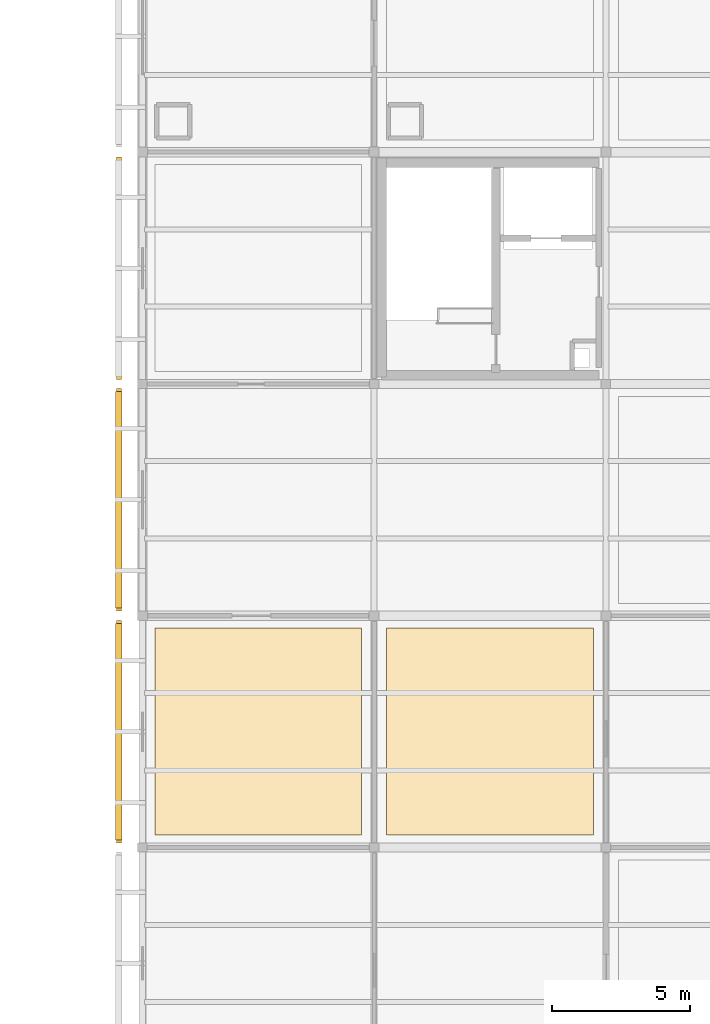
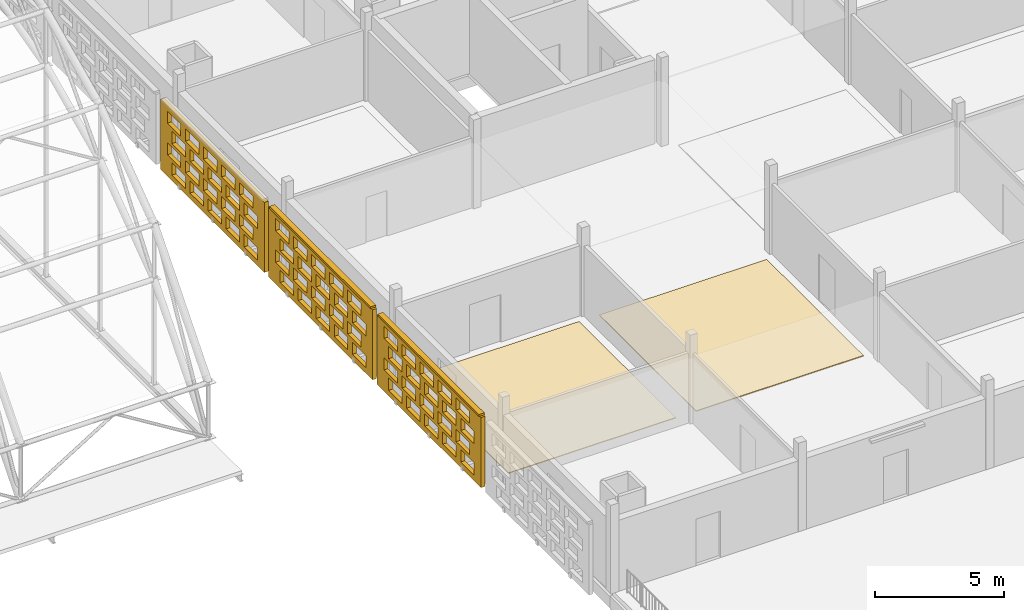
# One storey, part 98 of 103: 5 coverings, 2 shading devices, 60 openings.
"""IFC4 building model written with IfcOpenShell, lengths in metres."""

from ifc_helpers import new_model, si_unit, direction, frame, frame_2d, origin, origin_2d, place, context, subcontext, project, spatial, rectangle, extrude, material, layer, layer_set, type_object, element, save


model = new_model("IFC4")

# Units and contexts
model_context = context("Model", 3, precision=1e-05, world=origin(), true_north=direction((0.0, 1.0)))
body_context = subcontext(model_context, "Body", "Model", "MODEL_VIEW")
ifc_project = project(units=[si_unit("LENGTHUNIT", "METRE"), si_unit("AREAUNIT", "SQUARE_METRE"), si_unit("VOLUMEUNIT", "CUBIC_METRE"), si_unit("PLANEANGLEUNIT", "RADIAN"), si_unit("MASSUNIT", "GRAM", prefix="KILO")], contexts=[model_context])

# Site, building, storey
site_placement = place(None, origin())
site = spatial("IfcSite", under=ifc_project, at=site_placement, CompositionType="ELEMENT")
building_placement = place(site_placement, origin())
building = spatial("IfcBuilding", under=site, at=building_placement, Name="Varnapada Polytechnic", CompositionType="ELEMENT")
storey_placement = place(building_placement, frame((0.0, 0.0, 18.0)))
storey = spatial("IfcBuildingStorey", under=building, at=storey_placement, Name="L04", CompositionType="ELEMENT", Elevation=18.0)

# Coverings
ifc_material_1 = material(Name="Acoustic Rubber Seminar Flooring")
ifc_layer_1 = layer(ifc_material_1, 0.0400390625)
ifc_layer_set_1 = layer_set([ifc_layer_1], Name="Acoustic Rubber Seminar Flooring")
covering_type_1 = type_object("IfcCoveringType", Name="Floor Finish FLR-06", PredefinedType="FLOORING", material=ifc_layer_set_1)
for number, where, z_axis, x_axis, name in (
    (1, (147.0, 79.800048828125, 0.0), (0.0, 0.0, 1.0), (1.0, 0.0, 0.0), "L04 floor finish panel (18,10)"),
    (2, (155.39990234375, 79.800048828125, 0.0), (0.0, 0.0, 1.0), (1.0, 0.0, 0.0), "L04 floor finish panel (19,10)"),
):
    element("IfcCovering", number, at=place(storey_placement, frame(where, z_axis=z_axis, x_axis=x_axis)), inside=storey, type_object=covering_type_1, Name=name, PredefinedType="FLOORING", context=body_context, shape_type="SweptSolid", body=[
        extrude(rectangle(XDim=7.5, YDim=7.5, at=origin_2d()), origin(), (0.0, 0.0, 1.0), 0.0400390625),
    ])

# Covering, openings
ifc_material_2 = material(Name="Earth-toned architectural terracotta screen block", Category="masonry")
ifc_layer_2 = layer(ifc_material_2, 0.1201171875)
ifc_layer_set_2 = layer_set([ifc_layer_2], Name="Earth-toned architectural terracotta screen block")
covering_type_2 = type_object("IfcCoveringType", Name="Terracotta Screen Cladding CLD-01", PredefinedType="CLADDING", material=ifc_layer_set_2)
covering_1_placement = place(storey_placement, frame((141.949951171875, 75.77001953125, 0.0), z_axis=(0.0, 0.0, 1.0), x_axis=(0.0, 1.0, 0.0)))
covering_1 = element("IfcCovering", 3, at=covering_1_placement, inside=storey, type_object=covering_type_2, Name="L04 perforated terracotta block screen (43)", PredefinedType="CLADDING", context=body_context, shape_type="SweptSolid", body=[
    extrude(rectangle(XDim=8.050048828125, YDim=0.179931640625, at=frame_2d((4.02490234375, 0.0))), origin(), (0.0, 0.0, 1.0), 3.320068359375),
])
opening_1_placement = place(covering_1_placement, frame((0.52490234375, 0.0, 0.265625)))
element("IfcOpeningElement", 4, at=opening_1_placement, cuts=covering_1, Name="Screen perforation TBS-L04-042.1", PredefinedType="OPENING", context=body_context, shape_type="SweptSolid", body=[
    extrude(rectangle(XDim=1.0400390625, YDim=0.5810546875, at=frame_2d((0.52001953125, 0.29052734375))), frame((0.0, 0.099853515625, 0.0), z_axis=(0.0, -1.0, 0.0), x_axis=(1.0, 0.0, 0.0)), (0.0, 0.0, 1.0), 0.199951171875),
])
opening_2_placement = place(covering_1_placement, frame((1.925048828125, 0.0, 0.265625)))
element("IfcOpeningElement", 5, at=opening_2_placement, cuts=covering_1, Name="Screen perforation TBS-L04-042.2", PredefinedType="OPENING", context=body_context, shape_type="SweptSolid", body=[
    extrude(rectangle(XDim=1.0400390625, YDim=0.5810546875, at=frame_2d((0.52001953125, 0.29052734375))), frame((0.0, 0.099853515625, 0.0), z_axis=(0.0, -1.0, 0.0), x_axis=(1.0, 0.0, 0.0)), (0.0, 0.0, 1.0), 0.199951171875),
])
opening_3_placement = place(covering_1_placement, frame((3.324951171875, 0.0, 0.265625)))
element("IfcOpeningElement", 6, at=opening_3_placement, cuts=covering_1, Name="Screen perforation TBS-L04-042.3", PredefinedType="OPENING", context=body_context, shape_type="SweptSolid", body=[
    extrude(rectangle(XDim=1.0400390625, YDim=0.5810546875, at=frame_2d((0.52001953125, 0.29052734375))), frame((0.0, 0.099853515625, 0.0), z_axis=(0.0, -1.0, 0.0), x_axis=(1.0, 0.0, 0.0)), (0.0, 0.0, 1.0), 0.199951171875),
])
opening_4_placement = place(covering_1_placement, frame((4.72509765625, 0.0, 0.265625)))
element("IfcOpeningElement", 7, at=opening_4_placement, cuts=covering_1, Name="Screen perforation TBS-L04-042.4", PredefinedType="OPENING", context=body_context, shape_type="SweptSolid", body=[
    extrude(rectangle(XDim=1.0400390625, YDim=0.5810546875, at=frame_2d((0.52001953125, 0.29052734375))), frame((0.0, 0.099853515625, 0.0), z_axis=(0.0, -1.0, 0.0), x_axis=(1.0, 0.0, 0.0)), (0.0, 0.0, 1.0), 0.199951171875),
])
opening_5_placement = place(covering_1_placement, frame((6.125, 0.0, 0.265625)))
element("IfcOpeningElement", 8, at=opening_5_placement, cuts=covering_1, Name="Screen perforation TBS-L04-042.5", PredefinedType="OPENING", context=body_context, shape_type="SweptSolid", body=[
    extrude(rectangle(XDim=1.0400390625, YDim=0.5810546875, at=frame_2d((0.52001953125, 0.29052734375))), frame((0.0, 0.099853515625, 0.0), z_axis=(0.0, -1.0, 0.0), x_axis=(1.0, 0.0, 0.0)), (0.0, 0.0, 1.0), 0.199951171875),
])
opening_6_placement = place(covering_1_placement, frame((0.885009765625, 0.0, 1.0126953125)))
element("IfcOpeningElement", 9, at=opening_6_placement, cuts=covering_1, Name="Screen perforation TBS-L04-042.6", PredefinedType="OPENING", context=body_context, shape_type="SweptSolid", body=[
    extrude(rectangle(XDim=1.0400390625, YDim=0.5810546875, at=frame_2d((0.52001953125, 0.29052734375))), frame((0.0, 0.099853515625, 0.0), z_axis=(0.0, -1.0, 0.0), x_axis=(1.0, 0.0, 0.0)), (0.0, 0.0, 1.0), 0.199951171875),
])
opening_7_placement = place(covering_1_placement, frame((2.284912109375, 0.0, 1.0126953125)))
element("IfcOpeningElement", 10, at=opening_7_placement, cuts=covering_1, Name="Screen perforation TBS-L04-042.7", PredefinedType="OPENING", context=body_context, shape_type="SweptSolid", body=[
    extrude(rectangle(XDim=1.0400390625, YDim=0.5810546875, at=frame_2d((0.52001953125, 0.29052734375))), frame((0.0, 0.099853515625, 0.0), z_axis=(0.0, -1.0, 0.0), x_axis=(1.0, 0.0, 0.0)), (0.0, 0.0, 1.0), 0.199951171875),
])
opening_8_placement = place(covering_1_placement, frame((3.68505859375, 0.0, 1.0126953125)))
element("IfcOpeningElement", 11, at=opening_8_placement, cuts=covering_1, Name="Screen perforation TBS-L04-042.8", PredefinedType="OPENING", context=body_context, shape_type="SweptSolid", body=[
    extrude(rectangle(XDim=1.0400390625, YDim=0.5810546875, at=frame_2d((0.52001953125, 0.29052734375))), frame((0.0, 0.099853515625, 0.0), z_axis=(0.0, -1.0, 0.0), x_axis=(1.0, 0.0, 0.0)), (0.0, 0.0, 1.0), 0.199951171875),
])
opening_9_placement = place(covering_1_placement, frame((5.0849609375, 0.0, 1.0126953125)))
element("IfcOpeningElement", 12, at=opening_9_placement, cuts=covering_1, Name="Screen perforation TBS-L04-042.9", PredefinedType="OPENING", context=body_context, shape_type="SweptSolid", body=[
    extrude(rectangle(XDim=1.0400390625, YDim=0.5810546875, at=frame_2d((0.52001953125, 0.29052734375))), frame((0.0, 0.099853515625, 0.0), z_axis=(0.0, -1.0, 0.0), x_axis=(1.0, 0.0, 0.0)), (0.0, 0.0, 1.0), 0.199951171875),
])
opening_10_placement = place(covering_1_placement, frame((6.485107421875, 0.0, 1.0126953125)))
element("IfcOpeningElement", 13, at=opening_10_placement, cuts=covering_1, Name="Screen perforation TBS-L04-042.10", PredefinedType="OPENING", context=body_context, shape_type="SweptSolid", body=[
    extrude(rectangle(XDim=1.0400390625, YDim=0.5810546875, at=frame_2d((0.52001953125, 0.29052734375))), frame((0.0, 0.099853515625, 0.0), z_axis=(0.0, -1.0, 0.0), x_axis=(1.0, 0.0, 0.0)), (0.0, 0.0, 1.0), 0.199951171875),
])
opening_11_placement = place(covering_1_placement, frame((0.52490234375, 0.0, 1.759521484375)))
element("IfcOpeningElement", 14, at=opening_11_placement, cuts=covering_1, Name="Screen perforation TBS-L04-042.11", PredefinedType="OPENING", context=body_context, shape_type="SweptSolid", body=[
    extrude(rectangle(XDim=1.0400390625, YDim=0.5810546875, at=frame_2d((0.52001953125, 0.29052734375))), frame((0.0, 0.099853515625, 0.0), z_axis=(0.0, -1.0, 0.0), x_axis=(1.0, 0.0, 0.0)), (0.0, 0.0, 1.0), 0.199951171875),
])
opening_12_placement = place(covering_1_placement, frame((1.925048828125, 0.0, 1.759521484375)))
element("IfcOpeningElement", 15, at=opening_12_placement, cuts=covering_1, Name="Screen perforation TBS-L04-042.12", PredefinedType="OPENING", context=body_context, shape_type="SweptSolid", body=[
    extrude(rectangle(XDim=1.0400390625, YDim=0.5810546875, at=frame_2d((0.52001953125, 0.29052734375))), frame((0.0, 0.099853515625, 0.0), z_axis=(0.0, -1.0, 0.0), x_axis=(1.0, 0.0, 0.0)), (0.0, 0.0, 1.0), 0.199951171875),
])
opening_13_placement = place(covering_1_placement, frame((3.324951171875, 0.0, 1.759521484375)))
element("IfcOpeningElement", 16, at=opening_13_placement, cuts=covering_1, Name="Screen perforation TBS-L04-042.13", PredefinedType="OPENING", context=body_context, shape_type="SweptSolid", body=[
    extrude(rectangle(XDim=1.0400390625, YDim=0.5810546875, at=frame_2d((0.52001953125, 0.29052734375))), frame((0.0, 0.099853515625, 0.0), z_axis=(0.0, -1.0, 0.0), x_axis=(1.0, 0.0, 0.0)), (0.0, 0.0, 1.0), 0.199951171875),
])
opening_14_placement = place(covering_1_placement, frame((4.72509765625, 0.0, 1.759521484375)))
element("IfcOpeningElement", 17, at=opening_14_placement, cuts=covering_1, Name="Screen perforation TBS-L04-042.14", PredefinedType="OPENING", context=body_context, shape_type="SweptSolid", body=[
    extrude(rectangle(XDim=1.0400390625, YDim=0.5810546875, at=frame_2d((0.52001953125, 0.29052734375))), frame((0.0, 0.099853515625, 0.0), z_axis=(0.0, -1.0, 0.0), x_axis=(1.0, 0.0, 0.0)), (0.0, 0.0, 1.0), 0.199951171875),
])
opening_15_placement = place(covering_1_placement, frame((6.125, 0.0, 1.759521484375)))
element("IfcOpeningElement", 18, at=opening_15_placement, cuts=covering_1, Name="Screen perforation TBS-L04-042.15", PredefinedType="OPENING", context=body_context, shape_type="SweptSolid", body=[
    extrude(rectangle(XDim=1.0400390625, YDim=0.5810546875, at=frame_2d((0.52001953125, 0.29052734375))), frame((0.0, 0.099853515625, 0.0), z_axis=(0.0, -1.0, 0.0), x_axis=(1.0, 0.0, 0.0)), (0.0, 0.0, 1.0), 0.199951171875),
])
opening_16_placement = place(covering_1_placement, frame((0.885009765625, 0.0, 2.506591796875)))
element("IfcOpeningElement", 19, at=opening_16_placement, cuts=covering_1, Name="Screen perforation TBS-L04-042.16", PredefinedType="OPENING", context=body_context, shape_type="SweptSolid", body=[
    extrude(rectangle(XDim=1.0400390625, YDim=0.5810546875, at=frame_2d((0.52001953125, 0.29052734375))), frame((0.0, 0.099853515625, 0.0), z_axis=(0.0, -1.0, 0.0), x_axis=(1.0, 0.0, 0.0)), (0.0, 0.0, 1.0), 0.199951171875),
])
opening_17_placement = place(covering_1_placement, frame((2.284912109375, 0.0, 2.506591796875)))
element("IfcOpeningElement", 20, at=opening_17_placement, cuts=covering_1, Name="Screen perforation TBS-L04-042.17", PredefinedType="OPENING", context=body_context, shape_type="SweptSolid", body=[
    extrude(rectangle(XDim=1.0400390625, YDim=0.5810546875, at=frame_2d((0.52001953125, 0.29052734375))), frame((0.0, 0.099853515625, 0.0), z_axis=(0.0, -1.0, 0.0), x_axis=(1.0, 0.0, 0.0)), (0.0, 0.0, 1.0), 0.199951171875),
])
opening_18_placement = place(covering_1_placement, frame((3.68505859375, 0.0, 2.506591796875)))
element("IfcOpeningElement", 21, at=opening_18_placement, cuts=covering_1, Name="Screen perforation TBS-L04-042.18", PredefinedType="OPENING", context=body_context, shape_type="SweptSolid", body=[
    extrude(rectangle(XDim=1.0400390625, YDim=0.5810546875, at=frame_2d((0.52001953125, 0.29052734375))), frame((0.0, 0.099853515625, 0.0), z_axis=(0.0, -1.0, 0.0), x_axis=(1.0, 0.0, 0.0)), (0.0, 0.0, 1.0), 0.199951171875),
])
opening_19_placement = place(covering_1_placement, frame((5.0849609375, 0.0, 2.506591796875)))
element("IfcOpeningElement", 22, at=opening_19_placement, cuts=covering_1, Name="Screen perforation TBS-L04-042.19", PredefinedType="OPENING", context=body_context, shape_type="SweptSolid", body=[
    extrude(rectangle(XDim=1.0400390625, YDim=0.5810546875, at=frame_2d((0.52001953125, 0.29052734375))), frame((0.0, 0.099853515625, 0.0), z_axis=(0.0, -1.0, 0.0), x_axis=(1.0, 0.0, 0.0)), (0.0, 0.0, 1.0), 0.199951171875),
])
opening_20_placement = place(covering_1_placement, frame((6.485107421875, 0.0, 2.506591796875)))
element("IfcOpeningElement", 23, at=opening_20_placement, cuts=covering_1, Name="Screen perforation TBS-L04-042.20", PredefinedType="OPENING", context=body_context, shape_type="SweptSolid", body=[
    extrude(rectangle(XDim=1.0400390625, YDim=0.5810546875, at=frame_2d((0.52001953125, 0.29052734375))), frame((0.0, 0.099853515625, 0.0), z_axis=(0.0, -1.0, 0.0), x_axis=(1.0, 0.0, 0.0)), (0.0, 0.0, 1.0), 0.199951171875),
])

covering_2_placement = place(storey_placement, frame((141.949951171875, 84.179931640625, 0.0), z_axis=(0.0, 0.0, 1.0), x_axis=(0.0, 1.0, 0.0)))
covering_2 = element("IfcCovering", 24, at=covering_2_placement, inside=storey, type_object=covering_type_2, Name="L04 perforated terracotta block screen (44)", PredefinedType="CLADDING", context=body_context, shape_type="SweptSolid", body=[
    extrude(rectangle(XDim=8.050048828125, YDim=0.179931640625, at=frame_2d((4.02490234375, 0.0))), origin(), (0.0, 0.0, 1.0), 3.320068359375),
])
opening_21_placement = place(covering_2_placement, frame((0.52490234375, 0.0, 0.265625)))
element("IfcOpeningElement", 25, at=opening_21_placement, cuts=covering_2, Name="Screen perforation TBS-L04-043.1", PredefinedType="OPENING", context=body_context, shape_type="SweptSolid", body=[
    extrude(rectangle(XDim=1.0400390625, YDim=0.5810546875, at=frame_2d((0.52001953125, 0.29052734375))), frame((0.0, 0.099853515625, 0.0), z_axis=(0.0, -1.0, 0.0), x_axis=(1.0, 0.0, 0.0)), (0.0, 0.0, 1.0), 0.199951171875),
])
opening_22_placement = place(covering_2_placement, frame((1.925048828125, 0.0, 0.265625)))
element("IfcOpeningElement", 26, at=opening_22_placement, cuts=covering_2, Name="Screen perforation TBS-L04-043.2", PredefinedType="OPENING", context=body_context, shape_type="SweptSolid", body=[
    extrude(rectangle(XDim=1.0400390625, YDim=0.5810546875, at=frame_2d((0.52001953125, 0.29052734375))), frame((0.0, 0.099853515625, 0.0), z_axis=(0.0, -1.0, 0.0), x_axis=(1.0, 0.0, 0.0)), (0.0, 0.0, 1.0), 0.199951171875),
])
opening_23_placement = place(covering_2_placement, frame((3.324951171875, 0.0, 0.265625)))
element("IfcOpeningElement", 27, at=opening_23_placement, cuts=covering_2, Name="Screen perforation TBS-L04-043.3", PredefinedType="OPENING", context=body_context, shape_type="SweptSolid", body=[
    extrude(rectangle(XDim=1.0400390625, YDim=0.5810546875, at=frame_2d((0.52001953125, 0.29052734375))), frame((0.0, 0.099853515625, 0.0), z_axis=(0.0, -1.0, 0.0), x_axis=(1.0, 0.0, 0.0)), (0.0, 0.0, 1.0), 0.199951171875),
])
opening_24_placement = place(covering_2_placement, frame((4.72509765625, 0.0, 0.265625)))
element("IfcOpeningElement", 28, at=opening_24_placement, cuts=covering_2, Name="Screen perforation TBS-L04-043.4", PredefinedType="OPENING", context=body_context, shape_type="SweptSolid", body=[
    extrude(rectangle(XDim=1.0400390625, YDim=0.5810546875, at=frame_2d((0.52001953125, 0.29052734375))), frame((0.0, 0.099853515625, 0.0), z_axis=(0.0, -1.0, 0.0), x_axis=(1.0, 0.0, 0.0)), (0.0, 0.0, 1.0), 0.199951171875),
])
opening_25_placement = place(covering_2_placement, frame((6.125, 0.0, 0.265625)))
element("IfcOpeningElement", 29, at=opening_25_placement, cuts=covering_2, Name="Screen perforation TBS-L04-043.5", PredefinedType="OPENING", context=body_context, shape_type="SweptSolid", body=[
    extrude(rectangle(XDim=1.0400390625, YDim=0.5810546875, at=frame_2d((0.52001953125, 0.29052734375))), frame((0.0, 0.099853515625, 0.0), z_axis=(0.0, -1.0, 0.0), x_axis=(1.0, 0.0, 0.0)), (0.0, 0.0, 1.0), 0.199951171875),
])
opening_26_placement = place(covering_2_placement, frame((0.885009765625, 0.0, 1.0126953125)))
element("IfcOpeningElement", 30, at=opening_26_placement, cuts=covering_2, Name="Screen perforation TBS-L04-043.6", PredefinedType="OPENING", context=body_context, shape_type="SweptSolid", body=[
    extrude(rectangle(XDim=1.0400390625, YDim=0.5810546875, at=frame_2d((0.52001953125, 0.29052734375))), frame((0.0, 0.099853515625, 0.0), z_axis=(0.0, -1.0, 0.0), x_axis=(1.0, 0.0, 0.0)), (0.0, 0.0, 1.0), 0.199951171875),
])
opening_27_placement = place(covering_2_placement, frame((2.284912109375, 0.0, 1.0126953125)))
element("IfcOpeningElement", 31, at=opening_27_placement, cuts=covering_2, Name="Screen perforation TBS-L04-043.7", PredefinedType="OPENING", context=body_context, shape_type="SweptSolid", body=[
    extrude(rectangle(XDim=1.0400390625, YDim=0.5810546875, at=frame_2d((0.52001953125, 0.29052734375))), frame((0.0, 0.099853515625, 0.0), z_axis=(0.0, -1.0, 0.0), x_axis=(1.0, 0.0, 0.0)), (0.0, 0.0, 1.0), 0.199951171875),
])
opening_28_placement = place(covering_2_placement, frame((3.68505859375, 0.0, 1.0126953125)))
element("IfcOpeningElement", 32, at=opening_28_placement, cuts=covering_2, Name="Screen perforation TBS-L04-043.8", PredefinedType="OPENING", context=body_context, shape_type="SweptSolid", body=[
    extrude(rectangle(XDim=1.0400390625, YDim=0.5810546875, at=frame_2d((0.52001953125, 0.29052734375))), frame((0.0, 0.099853515625, 0.0), z_axis=(0.0, -1.0, 0.0), x_axis=(1.0, 0.0, 0.0)), (0.0, 0.0, 1.0), 0.199951171875),
])
opening_29_placement = place(covering_2_placement, frame((5.0849609375, 0.0, 1.0126953125)))
element("IfcOpeningElement", 33, at=opening_29_placement, cuts=covering_2, Name="Screen perforation TBS-L04-043.9", PredefinedType="OPENING", context=body_context, shape_type="SweptSolid", body=[
    extrude(rectangle(XDim=1.0400390625, YDim=0.5810546875, at=frame_2d((0.52001953125, 0.29052734375))), frame((0.0, 0.099853515625, 0.0), z_axis=(0.0, -1.0, 0.0), x_axis=(1.0, 0.0, 0.0)), (0.0, 0.0, 1.0), 0.199951171875),
])
opening_30_placement = place(covering_2_placement, frame((6.485107421875, 0.0, 1.0126953125)))
element("IfcOpeningElement", 34, at=opening_30_placement, cuts=covering_2, Name="Screen perforation TBS-L04-043.10", PredefinedType="OPENING", context=body_context, shape_type="SweptSolid", body=[
    extrude(rectangle(XDim=1.0400390625, YDim=0.5810546875, at=frame_2d((0.52001953125, 0.29052734375))), frame((0.0, 0.099853515625, 0.0), z_axis=(0.0, -1.0, 0.0), x_axis=(1.0, 0.0, 0.0)), (0.0, 0.0, 1.0), 0.199951171875),
])
opening_31_placement = place(covering_2_placement, frame((0.52490234375, 0.0, 1.759521484375)))
element("IfcOpeningElement", 35, at=opening_31_placement, cuts=covering_2, Name="Screen perforation TBS-L04-043.11", PredefinedType="OPENING", context=body_context, shape_type="SweptSolid", body=[
    extrude(rectangle(XDim=1.0400390625, YDim=0.5810546875, at=frame_2d((0.52001953125, 0.29052734375))), frame((0.0, 0.099853515625, 0.0), z_axis=(0.0, -1.0, 0.0), x_axis=(1.0, 0.0, 0.0)), (0.0, 0.0, 1.0), 0.199951171875),
])
opening_32_placement = place(covering_2_placement, frame((1.925048828125, 0.0, 1.759521484375)))
element("IfcOpeningElement", 36, at=opening_32_placement, cuts=covering_2, Name="Screen perforation TBS-L04-043.12", PredefinedType="OPENING", context=body_context, shape_type="SweptSolid", body=[
    extrude(rectangle(XDim=1.0400390625, YDim=0.5810546875, at=frame_2d((0.52001953125, 0.29052734375))), frame((0.0, 0.099853515625, 0.0), z_axis=(0.0, -1.0, 0.0), x_axis=(1.0, 0.0, 0.0)), (0.0, 0.0, 1.0), 0.199951171875),
])
opening_33_placement = place(covering_2_placement, frame((3.324951171875, 0.0, 1.759521484375)))
element("IfcOpeningElement", 37, at=opening_33_placement, cuts=covering_2, Name="Screen perforation TBS-L04-043.13", PredefinedType="OPENING", context=body_context, shape_type="SweptSolid", body=[
    extrude(rectangle(XDim=1.0400390625, YDim=0.5810546875, at=frame_2d((0.52001953125, 0.29052734375))), frame((0.0, 0.099853515625, 0.0), z_axis=(0.0, -1.0, 0.0), x_axis=(1.0, 0.0, 0.0)), (0.0, 0.0, 1.0), 0.199951171875),
])
opening_34_placement = place(covering_2_placement, frame((4.72509765625, 0.0, 1.759521484375)))
element("IfcOpeningElement", 38, at=opening_34_placement, cuts=covering_2, Name="Screen perforation TBS-L04-043.14", PredefinedType="OPENING", context=body_context, shape_type="SweptSolid", body=[
    extrude(rectangle(XDim=1.0400390625, YDim=0.5810546875, at=frame_2d((0.52001953125, 0.29052734375))), frame((0.0, 0.099853515625, 0.0), z_axis=(0.0, -1.0, 0.0), x_axis=(1.0, 0.0, 0.0)), (0.0, 0.0, 1.0), 0.199951171875),
])
opening_35_placement = place(covering_2_placement, frame((6.125, 0.0, 1.759521484375)))
element("IfcOpeningElement", 39, at=opening_35_placement, cuts=covering_2, Name="Screen perforation TBS-L04-043.15", PredefinedType="OPENING", context=body_context, shape_type="SweptSolid", body=[
    extrude(rectangle(XDim=1.0400390625, YDim=0.5810546875, at=frame_2d((0.52001953125, 0.29052734375))), frame((0.0, 0.099853515625, 0.0), z_axis=(0.0, -1.0, 0.0), x_axis=(1.0, 0.0, 0.0)), (0.0, 0.0, 1.0), 0.199951171875),
])
opening_36_placement = place(covering_2_placement, frame((0.885009765625, 0.0, 2.506591796875)))
element("IfcOpeningElement", 40, at=opening_36_placement, cuts=covering_2, Name="Screen perforation TBS-L04-043.16", PredefinedType="OPENING", context=body_context, shape_type="SweptSolid", body=[
    extrude(rectangle(XDim=1.0400390625, YDim=0.5810546875, at=frame_2d((0.52001953125, 0.29052734375))), frame((0.0, 0.099853515625, 0.0), z_axis=(0.0, -1.0, 0.0), x_axis=(1.0, 0.0, 0.0)), (0.0, 0.0, 1.0), 0.199951171875),
])
opening_37_placement = place(covering_2_placement, frame((2.284912109375, 0.0, 2.506591796875)))
element("IfcOpeningElement", 41, at=opening_37_placement, cuts=covering_2, Name="Screen perforation TBS-L04-043.17", PredefinedType="OPENING", context=body_context, shape_type="SweptSolid", body=[
    extrude(rectangle(XDim=1.0400390625, YDim=0.5810546875, at=frame_2d((0.52001953125, 0.29052734375))), frame((0.0, 0.099853515625, 0.0), z_axis=(0.0, -1.0, 0.0), x_axis=(1.0, 0.0, 0.0)), (0.0, 0.0, 1.0), 0.199951171875),
])
opening_38_placement = place(covering_2_placement, frame((3.68505859375, 0.0, 2.506591796875)))
element("IfcOpeningElement", 42, at=opening_38_placement, cuts=covering_2, Name="Screen perforation TBS-L04-043.18", PredefinedType="OPENING", context=body_context, shape_type="SweptSolid", body=[
    extrude(rectangle(XDim=1.0400390625, YDim=0.5810546875, at=frame_2d((0.52001953125, 0.29052734375))), frame((0.0, 0.099853515625, 0.0), z_axis=(0.0, -1.0, 0.0), x_axis=(1.0, 0.0, 0.0)), (0.0, 0.0, 1.0), 0.199951171875),
])
opening_39_placement = place(covering_2_placement, frame((5.0849609375, 0.0, 2.506591796875)))
element("IfcOpeningElement", 43, at=opening_39_placement, cuts=covering_2, Name="Screen perforation TBS-L04-043.19", PredefinedType="OPENING", context=body_context, shape_type="SweptSolid", body=[
    extrude(rectangle(XDim=1.0400390625, YDim=0.5810546875, at=frame_2d((0.52001953125, 0.29052734375))), frame((0.0, 0.099853515625, 0.0), z_axis=(0.0, -1.0, 0.0), x_axis=(1.0, 0.0, 0.0)), (0.0, 0.0, 1.0), 0.199951171875),
])
opening_40_placement = place(covering_2_placement, frame((6.485107421875, 0.0, 2.506591796875)))
element("IfcOpeningElement", 44, at=opening_40_placement, cuts=covering_2, Name="Screen perforation TBS-L04-043.20", PredefinedType="OPENING", context=body_context, shape_type="SweptSolid", body=[
    extrude(rectangle(XDim=1.0400390625, YDim=0.5810546875, at=frame_2d((0.52001953125, 0.29052734375))), frame((0.0, 0.099853515625, 0.0), z_axis=(0.0, -1.0, 0.0), x_axis=(1.0, 0.0, 0.0)), (0.0, 0.0, 1.0), 0.199951171875),
])

covering_3_placement = place(storey_placement, frame((141.949951171875, 92.570068359375, 0.0), z_axis=(0.0, 0.0, 1.0), x_axis=(0.0, 1.0, 0.0)))
covering_3 = element("IfcCovering", 45, at=covering_3_placement, inside=storey, type_object=covering_type_2, Name="L04 perforated terracotta block screen (45)", PredefinedType="CLADDING", context=body_context, shape_type="SweptSolid", body=[
    extrude(rectangle(XDim=8.050048828125, YDim=0.179931640625, at=frame_2d((4.02490234375, 0.0))), origin(), (0.0, 0.0, 1.0), 3.320068359375),
])
opening_41_placement = place(covering_3_placement, frame((0.52490234375, 0.0, 0.265625)))
element("IfcOpeningElement", 46, at=opening_41_placement, cuts=covering_3, Name="Screen perforation TBS-L04-044.1", PredefinedType="OPENING", context=body_context, shape_type="SweptSolid", body=[
    extrude(rectangle(XDim=1.0400390625, YDim=0.5810546875, at=frame_2d((0.52001953125, 0.29052734375))), frame((0.0, 0.099853515625, 0.0), z_axis=(0.0, -1.0, 0.0), x_axis=(1.0, 0.0, 0.0)), (0.0, 0.0, 1.0), 0.199951171875),
])
opening_42_placement = place(covering_3_placement, frame((1.925048828125, 0.0, 0.265625)))
element("IfcOpeningElement", 47, at=opening_42_placement, cuts=covering_3, Name="Screen perforation TBS-L04-044.2", PredefinedType="OPENING", context=body_context, shape_type="SweptSolid", body=[
    extrude(rectangle(XDim=1.0400390625, YDim=0.5810546875, at=frame_2d((0.52001953125, 0.29052734375))), frame((0.0, 0.099853515625, 0.0), z_axis=(0.0, -1.0, 0.0), x_axis=(1.0, 0.0, 0.0)), (0.0, 0.0, 1.0), 0.199951171875),
])
opening_43_placement = place(covering_3_placement, frame((3.324951171875, 0.0, 0.265625)))
element("IfcOpeningElement", 48, at=opening_43_placement, cuts=covering_3, Name="Screen perforation TBS-L04-044.3", PredefinedType="OPENING", context=body_context, shape_type="SweptSolid", body=[
    extrude(rectangle(XDim=1.0400390625, YDim=0.5810546875, at=frame_2d((0.52001953125, 0.29052734375))), frame((0.0, 0.099853515625, 0.0), z_axis=(0.0, -1.0, 0.0), x_axis=(1.0, 0.0, 0.0)), (0.0, 0.0, 1.0), 0.199951171875),
])
opening_44_placement = place(covering_3_placement, frame((4.72509765625, 0.0, 0.265625)))
element("IfcOpeningElement", 49, at=opening_44_placement, cuts=covering_3, Name="Screen perforation TBS-L04-044.4", PredefinedType="OPENING", context=body_context, shape_type="SweptSolid", body=[
    extrude(rectangle(XDim=1.0400390625, YDim=0.5810546875, at=frame_2d((0.52001953125, 0.29052734375))), frame((0.0, 0.099853515625, 0.0), z_axis=(0.0, -1.0, 0.0), x_axis=(1.0, 0.0, 0.0)), (0.0, 0.0, 1.0), 0.199951171875),
])
opening_45_placement = place(covering_3_placement, frame((6.125, 0.0, 0.265625)))
element("IfcOpeningElement", 50, at=opening_45_placement, cuts=covering_3, Name="Screen perforation TBS-L04-044.5", PredefinedType="OPENING", context=body_context, shape_type="SweptSolid", body=[
    extrude(rectangle(XDim=1.0400390625, YDim=0.5810546875, at=frame_2d((0.52001953125, 0.29052734375))), frame((0.0, 0.099853515625, 0.0), z_axis=(0.0, -1.0, 0.0), x_axis=(1.0, 0.0, 0.0)), (0.0, 0.0, 1.0), 0.199951171875),
])
opening_46_placement = place(covering_3_placement, frame((0.885009765625, 0.0, 1.0126953125)))
element("IfcOpeningElement", 51, at=opening_46_placement, cuts=covering_3, Name="Screen perforation TBS-L04-044.6", PredefinedType="OPENING", context=body_context, shape_type="SweptSolid", body=[
    extrude(rectangle(XDim=1.0400390625, YDim=0.5810546875, at=frame_2d((0.52001953125, 0.29052734375))), frame((0.0, 0.099853515625, 0.0), z_axis=(0.0, -1.0, 0.0), x_axis=(1.0, 0.0, 0.0)), (0.0, 0.0, 1.0), 0.199951171875),
])
opening_47_placement = place(covering_3_placement, frame((2.284912109375, 0.0, 1.0126953125)))
element("IfcOpeningElement", 52, at=opening_47_placement, cuts=covering_3, Name="Screen perforation TBS-L04-044.7", PredefinedType="OPENING", context=body_context, shape_type="SweptSolid", body=[
    extrude(rectangle(XDim=1.0400390625, YDim=0.5810546875, at=frame_2d((0.52001953125, 0.29052734375))), frame((0.0, 0.099853515625, 0.0), z_axis=(0.0, -1.0, 0.0), x_axis=(1.0, 0.0, 0.0)), (0.0, 0.0, 1.0), 0.199951171875),
])
opening_48_placement = place(covering_3_placement, frame((3.68505859375, 0.0, 1.0126953125)))
element("IfcOpeningElement", 53, at=opening_48_placement, cuts=covering_3, Name="Screen perforation TBS-L04-044.8", PredefinedType="OPENING", context=body_context, shape_type="SweptSolid", body=[
    extrude(rectangle(XDim=1.0400390625, YDim=0.5810546875, at=frame_2d((0.52001953125, 0.29052734375))), frame((0.0, 0.099853515625, 0.0), z_axis=(0.0, -1.0, 0.0), x_axis=(1.0, 0.0, 0.0)), (0.0, 0.0, 1.0), 0.199951171875),
])
opening_49_placement = place(covering_3_placement, frame((5.0849609375, 0.0, 1.0126953125)))
element("IfcOpeningElement", 54, at=opening_49_placement, cuts=covering_3, Name="Screen perforation TBS-L04-044.9", PredefinedType="OPENING", context=body_context, shape_type="SweptSolid", body=[
    extrude(rectangle(XDim=1.0400390625, YDim=0.5810546875, at=frame_2d((0.52001953125, 0.29052734375))), frame((0.0, 0.099853515625, 0.0), z_axis=(0.0, -1.0, 0.0), x_axis=(1.0, 0.0, 0.0)), (0.0, 0.0, 1.0), 0.199951171875),
])
opening_50_placement = place(covering_3_placement, frame((6.485107421875, 0.0, 1.0126953125)))
element("IfcOpeningElement", 55, at=opening_50_placement, cuts=covering_3, Name="Screen perforation TBS-L04-044.10", PredefinedType="OPENING", context=body_context, shape_type="SweptSolid", body=[
    extrude(rectangle(XDim=1.0400390625, YDim=0.5810546875, at=frame_2d((0.52001953125, 0.29052734375))), frame((0.0, 0.099853515625, 0.0), z_axis=(0.0, -1.0, 0.0), x_axis=(1.0, 0.0, 0.0)), (0.0, 0.0, 1.0), 0.199951171875),
])
opening_51_placement = place(covering_3_placement, frame((0.52490234375, 0.0, 1.759521484375)))
element("IfcOpeningElement", 56, at=opening_51_placement, cuts=covering_3, Name="Screen perforation TBS-L04-044.11", PredefinedType="OPENING", context=body_context, shape_type="SweptSolid", body=[
    extrude(rectangle(XDim=1.0400390625, YDim=0.5810546875, at=frame_2d((0.52001953125, 0.29052734375))), frame((0.0, 0.099853515625, 0.0), z_axis=(0.0, -1.0, 0.0), x_axis=(1.0, 0.0, 0.0)), (0.0, 0.0, 1.0), 0.199951171875),
])
opening_52_placement = place(covering_3_placement, frame((1.925048828125, 0.0, 1.759521484375)))
element("IfcOpeningElement", 57, at=opening_52_placement, cuts=covering_3, Name="Screen perforation TBS-L04-044.12", PredefinedType="OPENING", context=body_context, shape_type="SweptSolid", body=[
    extrude(rectangle(XDim=1.0400390625, YDim=0.5810546875, at=frame_2d((0.52001953125, 0.29052734375))), frame((0.0, 0.099853515625, 0.0), z_axis=(0.0, -1.0, 0.0), x_axis=(1.0, 0.0, 0.0)), (0.0, 0.0, 1.0), 0.199951171875),
])
opening_53_placement = place(covering_3_placement, frame((3.324951171875, 0.0, 1.759521484375)))
element("IfcOpeningElement", 58, at=opening_53_placement, cuts=covering_3, Name="Screen perforation TBS-L04-044.13", PredefinedType="OPENING", context=body_context, shape_type="SweptSolid", body=[
    extrude(rectangle(XDim=1.0400390625, YDim=0.5810546875, at=frame_2d((0.52001953125, 0.29052734375))), frame((0.0, 0.099853515625, 0.0), z_axis=(0.0, -1.0, 0.0), x_axis=(1.0, 0.0, 0.0)), (0.0, 0.0, 1.0), 0.199951171875),
])
opening_54_placement = place(covering_3_placement, frame((4.72509765625, 0.0, 1.759521484375)))
element("IfcOpeningElement", 59, at=opening_54_placement, cuts=covering_3, Name="Screen perforation TBS-L04-044.14", PredefinedType="OPENING", context=body_context, shape_type="SweptSolid", body=[
    extrude(rectangle(XDim=1.0400390625, YDim=0.5810546875, at=frame_2d((0.52001953125, 0.29052734375))), frame((0.0, 0.099853515625, 0.0), z_axis=(0.0, -1.0, 0.0), x_axis=(1.0, 0.0, 0.0)), (0.0, 0.0, 1.0), 0.199951171875),
])
opening_55_placement = place(covering_3_placement, frame((6.125, 0.0, 1.759521484375)))
element("IfcOpeningElement", 60, at=opening_55_placement, cuts=covering_3, Name="Screen perforation TBS-L04-044.15", PredefinedType="OPENING", context=body_context, shape_type="SweptSolid", body=[
    extrude(rectangle(XDim=1.0400390625, YDim=0.5810546875, at=frame_2d((0.52001953125, 0.29052734375))), frame((0.0, 0.099853515625, 0.0), z_axis=(0.0, -1.0, 0.0), x_axis=(1.0, 0.0, 0.0)), (0.0, 0.0, 1.0), 0.199951171875),
])
opening_56_placement = place(covering_3_placement, frame((0.885009765625, 0.0, 2.506591796875)))
element("IfcOpeningElement", 61, at=opening_56_placement, cuts=covering_3, Name="Screen perforation TBS-L04-044.16", PredefinedType="OPENING", context=body_context, shape_type="SweptSolid", body=[
    extrude(rectangle(XDim=1.0400390625, YDim=0.5810546875, at=frame_2d((0.52001953125, 0.29052734375))), frame((0.0, 0.099853515625, 0.0), z_axis=(0.0, -1.0, 0.0), x_axis=(1.0, 0.0, 0.0)), (0.0, 0.0, 1.0), 0.199951171875),
])
opening_57_placement = place(covering_3_placement, frame((2.284912109375, 0.0, 2.506591796875)))
element("IfcOpeningElement", 62, at=opening_57_placement, cuts=covering_3, Name="Screen perforation TBS-L04-044.17", PredefinedType="OPENING", context=body_context, shape_type="SweptSolid", body=[
    extrude(rectangle(XDim=1.0400390625, YDim=0.5810546875, at=frame_2d((0.52001953125, 0.29052734375))), frame((0.0, 0.099853515625, 0.0), z_axis=(0.0, -1.0, 0.0), x_axis=(1.0, 0.0, 0.0)), (0.0, 0.0, 1.0), 0.199951171875),
])
opening_58_placement = place(covering_3_placement, frame((3.68505859375, 0.0, 2.506591796875)))
element("IfcOpeningElement", 63, at=opening_58_placement, cuts=covering_3, Name="Screen perforation TBS-L04-044.18", PredefinedType="OPENING", context=body_context, shape_type="SweptSolid", body=[
    extrude(rectangle(XDim=1.0400390625, YDim=0.5810546875, at=frame_2d((0.52001953125, 0.29052734375))), frame((0.0, 0.099853515625, 0.0), z_axis=(0.0, -1.0, 0.0), x_axis=(1.0, 0.0, 0.0)), (0.0, 0.0, 1.0), 0.199951171875),
])
opening_59_placement = place(covering_3_placement, frame((5.0849609375, 0.0, 2.506591796875)))
element("IfcOpeningElement", 64, at=opening_59_placement, cuts=covering_3, Name="Screen perforation TBS-L04-044.19", PredefinedType="OPENING", context=body_context, shape_type="SweptSolid", body=[
    extrude(rectangle(XDim=1.0400390625, YDim=0.5810546875, at=frame_2d((0.52001953125, 0.29052734375))), frame((0.0, 0.099853515625, 0.0), z_axis=(0.0, -1.0, 0.0), x_axis=(1.0, 0.0, 0.0)), (0.0, 0.0, 1.0), 0.199951171875),
])
opening_60_placement = place(covering_3_placement, frame((6.485107421875, 0.0, 2.506591796875)))
element("IfcOpeningElement", 65, at=opening_60_placement, cuts=covering_3, Name="Screen perforation TBS-L04-044.20", PredefinedType="OPENING", context=body_context, shape_type="SweptSolid", body=[
    extrude(rectangle(XDim=1.0400390625, YDim=0.5810546875, at=frame_2d((0.52001953125, 0.29052734375))), frame((0.0, 0.099853515625, 0.0), z_axis=(0.0, -1.0, 0.0), x_axis=(1.0, 0.0, 0.0)), (0.0, 0.0, 1.0), 0.199951171875),
])

# Shading devices
ifc_layer_3 = layer(ifc_material_2, 0.179931640625)
ifc_layer_set_3 = layer_set([ifc_layer_3], Name="Earth-toned architectural terracotta screen block")
shading_device_type = type_object("IfcShadingDeviceType", Name="Terracotta Screen SCR-01", PredefinedType="USERDEFINED", material=ifc_layer_set_3)
for number, where, z_axis, x_axis, name in (
    (66, (141.949951171875, 79.794921875, 3.31005859375), (0.0, 0.0, 1.0), (0.0, 1.0, 0.0), "L04 perforated terracotta screen hood 461"),
    (67, (141.949951171875, 88.205078125, 3.31005859375), (0.0, 0.0, 1.0), (0.0, 1.0, 0.0), "L04 perforated terracotta screen hood 462"),
):
    element("IfcShadingDevice", number, at=place(storey_placement, frame(where, z_axis=z_axis, x_axis=x_axis)), inside=storey, type_object=shading_device_type, Name=name, ObjectType="SCREEN", PredefinedType="USERDEFINED", context=body_context, shape_type="SweptSolid", body=[
        extrude(rectangle(XDim=7.85009765625, YDim=0.239990234375, at=origin_2d()), origin(), (0.0, 0.0, 1.0), 0.10009765625),
    ])

save(model, "model.ifc")
